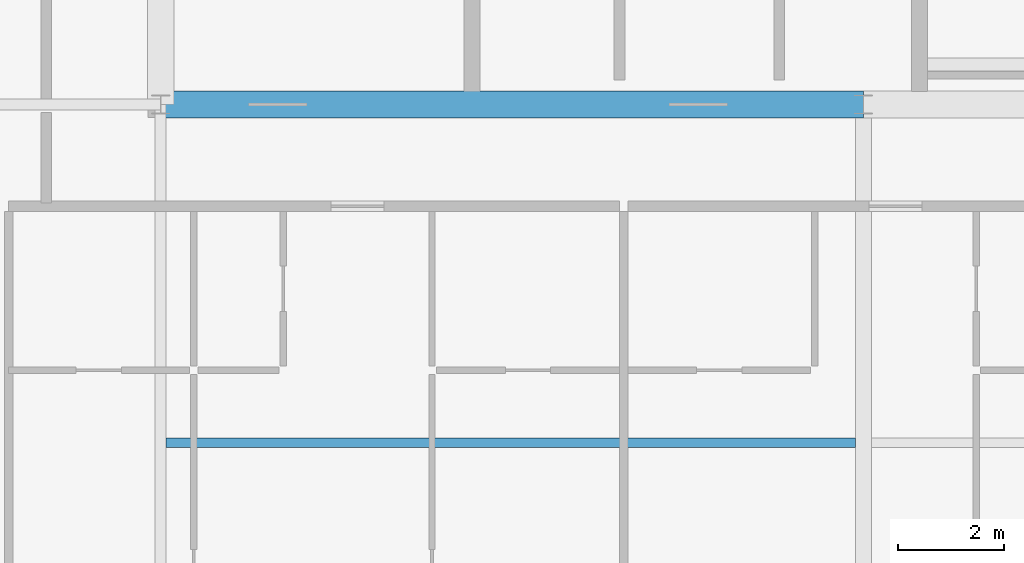
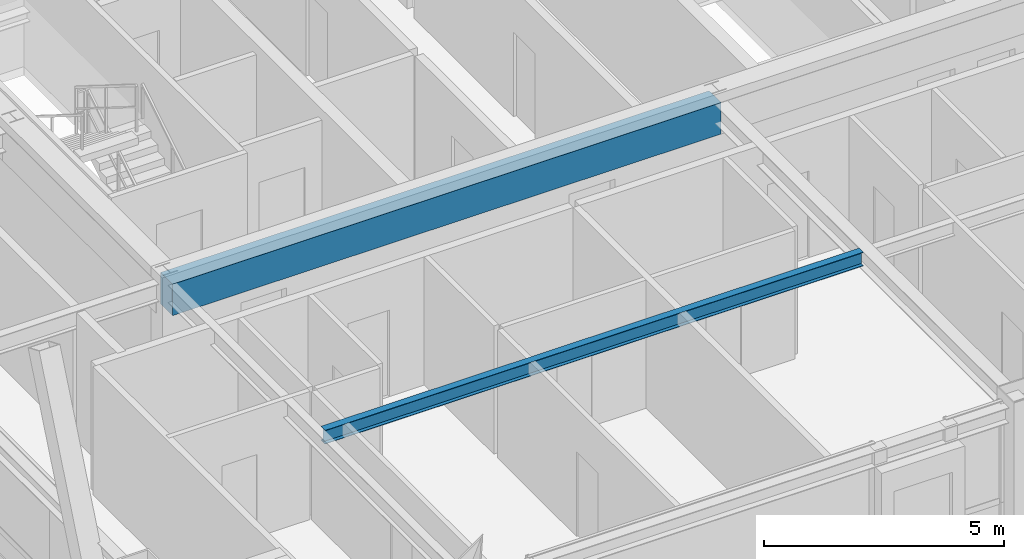
# One storey, part 8 of 35: 2 beams.
"""IFC4 building model written with IfcOpenShell, lengths in metres."""

from ifc_helpers import new_model, si_unit, direction, frame, origin, origin_2d, place, context, subcontext, project, spatial, rectangle, i_section, extrude, source, transform, mapped, material, material_profile, profile_set, type_object, element, save


model = new_model("IFC4")

# Units and contexts
model_context = context("Model", 3, precision=1e-05, world=origin(), true_north=direction((0.0, 1.0)))
body_context = subcontext(model_context, "Body", "Model", "MODEL_VIEW")
ifc_project = project(units=[si_unit("LENGTHUNIT", "METRE"), si_unit("AREAUNIT", "SQUARE_METRE"), si_unit("VOLUMEUNIT", "CUBIC_METRE"), si_unit("PLANEANGLEUNIT", "RADIAN"), si_unit("MASSUNIT", "GRAM", prefix="KILO"), si_unit("THERMODYNAMICTEMPERATUREUNIT", "KELVIN"), si_unit("POWERUNIT", "WATT")], contexts=[model_context])

# Site, building, storey
site_placement = place(None, origin())
site = spatial("IfcSite", under=ifc_project, at=site_placement, CompositionType="ELEMENT")
building_placement = place(site_placement, origin())
building = spatial("IfcBuilding", under=site, at=building_placement, Name="Yuzanri Waterfront Tower", CompositionType="ELEMENT")
storey_placement = place(building_placement, frame((0.0, 0.0, 335.699951171875)))
storey = spatial("IfcBuildingStorey", under=building, at=storey_placement, Name="L90", CompositionType="ELEMENT", Elevation=335.699951171875)

# Beams
ifc_material_1 = material(Name="Concrete C50", Category="concrete")
ifc_material_profile_1 = material_profile(ifc_material_1, rectangle(XDim=0.5, YDim=0.800048828125, at=origin_2d()), Name="RC 500x800")
ifc_profile_set_1 = profile_set([ifc_material_profile_1], Name="Concrete C50")
beam_type_1 = type_object("IfcBeamType", Name="Core Coupling Lintel Concrete C50 500x800", PredefinedType="LINTEL", material=ifc_profile_set_1)
shared_shape_1 = source(origin(), body_context, "Body", "SweptSolid", [
    extrude(rectangle(XDim=0.5, YDim=0.800048828125, at=origin_2d()), origin(), (0.0, 0.0, 1.0), 13.199951171875),
])
beam_1_placement = place(storey_placement, frame((23.800048828125, 19.39990234375, 2.860107421875), z_axis=(1.0, 0.0, 0.0), x_axis=(0.0, 1.0, 0.0)))
element("IfcBeam", 1, at=beam_1_placement, inside=storey, type_object=beam_type_1, Name="L90 Core Tie Beam CS1", PredefinedType="LINTEL", context=body_context, shape_type="MappedRepresentation", body=[
    mapped(shared_shape_1, transform((0.0, 0.0, 0.0), scale=1.0)),
])
ifc_material_2 = material(Name="Steel Q355B", Category="steel")
ifc_material_profile_2 = material_profile(ifc_material_2, i_section(OverallWidth=0.175048828125, OverallDepth=0.35009765625, WebThickness=0.007080078125, FlangeThickness=0.010986328125, at=origin_2d()), Name="HN 350x175x7x11")
ifc_profile_set_2 = profile_set([ifc_material_profile_2], Name="Steel Q355B")
beam_type_2 = type_object("IfcBeamType", Name="Floor Joist Q355B HN 350x175", PredefinedType="JOIST", material=ifc_profile_set_2)
shared_shape_2 = source(origin(), body_context, "Body", "SweptSolid", [
    extrude(i_section(OverallWidth=0.175048828125, OverallDepth=0.35009765625, WebThickness=0.007080078125, FlangeThickness=0.010986328125, at=origin_2d()), origin(), (0.0, 0.0, 1.0), 12.9501953125),
])
beam_2_placement = place(storey_placement, frame((23.89990234375, 13.050048828125, 3.0849609375), z_axis=(1.0, 0.0, 0.0), x_axis=(0.0, 1.0, 0.0)))
element("IfcBeam", 2, at=beam_2_placement, inside=storey, type_object=beam_type_2, Name="L90 South Bay Joist W", PredefinedType="JOIST", context=body_context, shape_type="MappedRepresentation", body=[
    mapped(shared_shape_2, transform((0.0, 0.0, 0.0), scale=1.0)),
])

save(model, "model.ifc")
